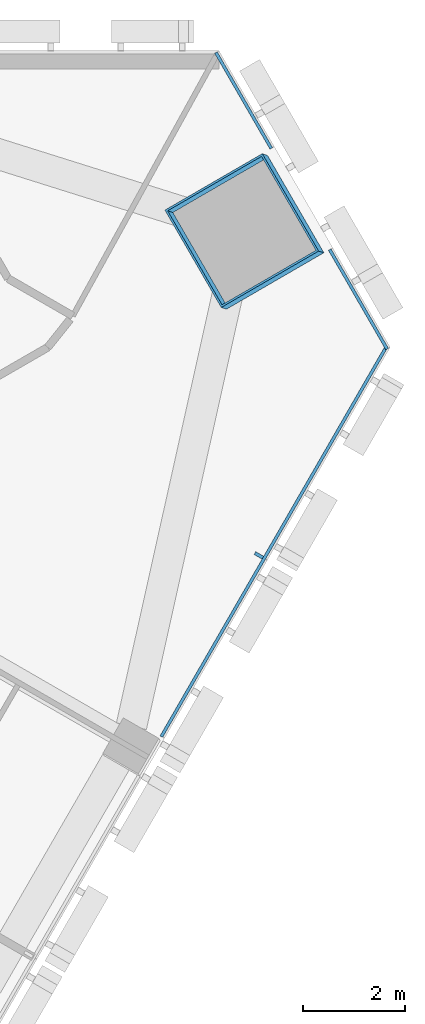
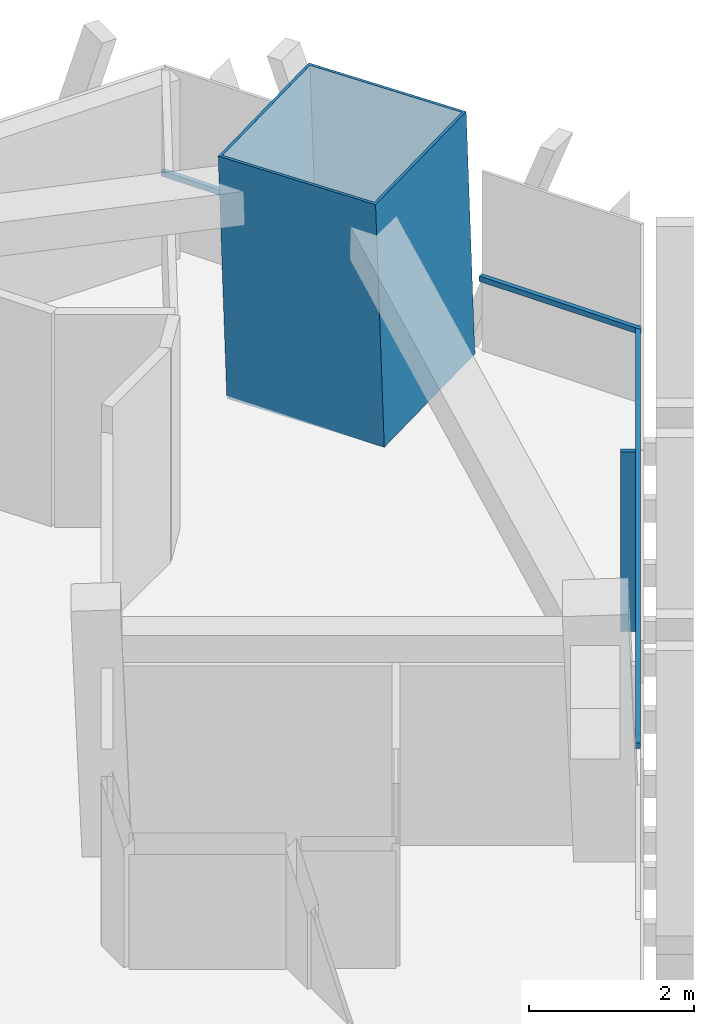
# One storey, part 7 of 16: 5 members, 2 elements without a shape of their own.
"""IFC4 building model written with IfcOpenShell, lengths in metres."""

from ifc_helpers import new_model, si_unit, direction, frame, origin, origin_2d, place, context, subcontext, project, spatial, rectangle, hollow_rectangle, extrude, material, layer, layer_set, material_profile, profile_set, type_object, element, aggregate, save


model = new_model("IFC4")

# Units and contexts
model_context = context("Model", 3, precision=1e-05, world=origin(), true_north=direction((0.0, 1.0)))
body_context = subcontext(model_context, "Body", "Model", "MODEL_VIEW")
ifc_project = project(units=[si_unit("LENGTHUNIT", "METRE"), si_unit("AREAUNIT", "SQUARE_METRE"), si_unit("VOLUMEUNIT", "CUBIC_METRE"), si_unit("PLANEANGLEUNIT", "RADIAN"), si_unit("MASSUNIT", "GRAM", prefix="KILO")], contexts=[model_context])

# Site, building, storey
site_placement = place(None, origin())
site = spatial("IfcSite", under=ifc_project, at=site_placement, CompositionType="ELEMENT")
building_placement = place(site_placement, origin())
building = spatial("IfcBuilding", under=site, at=building_placement, Name="Altiplano Prism Tower", CompositionType="ELEMENT")
storey_placement = place(building_placement, frame((0.0, 0.0, 181.800048828125)))
storey = spatial("IfcBuildingStorey", under=building, at=storey_placement, Name="L47", CompositionType="ELEMENT", Elevation=181.800048828125)

# Curtain wall, members
ifc_material_1 = material(Name="Aluminium and glass", Category="aluminium")
ifc_layer = layer(ifc_material_1, 0.280029296875)
ifc_layer_set = layer_set([ifc_layer], Name="Aluminium and glass")
curtain_wall_type = type_object("IfcCurtainWallType", Name="CW1 typical co-living unitised curtain wall", PredefinedType="NOTDEFINED", material=ifc_layer_set)
curtain_wall_1_placement = place(storey_placement, origin())
curtain_wall_1 = element("IfcCurtainWall", 1, at=curtain_wall_1_placement, inside=storey, type_object=curtain_wall_type, Name="CW1 curtain wall south-east face L47", PredefinedType="NOTDEFINED")
ifc_material_2 = material(Name="Aluminium", Category="aluminium")
ifc_material_profile_1 = material_profile(ifc_material_2, rectangle(XDim=0.179931640625, YDim=0.06494140625, at=origin_2d()), Name="CW1 mullion 65 x 180")
ifc_profile_set_1 = profile_set([ifc_material_profile_1], Name="Aluminium")
member_type_1 = type_object("IfcMemberType", Name="CW1 mullion 65 x 180", PredefinedType="MULLION", material=ifc_profile_set_1)
member_1_placement = place(storey_placement, frame((108.58251953125, 95.140869140625, 0.0), z_axis=(0.0, 0.0, 1.0), x_axis=(-0.866025409055, 0.499999990871, 0.0)))
member_1 = element("IfcMember", 2, at=member_1_placement, type_object=member_type_1, Name="CW1 mullion", PredefinedType="MULLION", context=body_context, shape_type="SweptSolid", body=[
    extrude(rectangle(XDim=0.179931640625, YDim=0.06494140625, at=origin_2d()), origin(), (0.0, 0.0, 1.0), 2.64990234375),
])
ifc_material_profile_2 = material_profile(ifc_material_2, rectangle(XDim=0.06005859375, YDim=0.080078125, at=origin_2d()), Name="CW1 transom 80 x 60")
ifc_profile_set_2 = profile_set([ifc_material_profile_2], Name="Aluminium")
member_type_2 = type_object("IfcMemberType", Name="CW1 transom 80 x 60", PredefinedType="USERDEFINED", material=ifc_profile_set_2)
member_2_placement = place(storey_placement, frame((106.676025390625, 91.59912109375, 1.099853515625), z_axis=(0.500007454112, 0.866021100108, 0.0), x_axis=(-0.866021100108, 0.500007454112, 0.0)))
member_2 = element("IfcMember", 3, at=member_2_placement, type_object=member_type_2, Name="CW1 transom", ObjectType="TRANSOM", PredefinedType="USERDEFINED", context=body_context, shape_type="SweptSolid", body=[
    extrude(rectangle(XDim=0.06005859375, YDim=0.080078125, at=origin_2d()), origin(), (0.0, 0.0, 1.0), 8.823974609375),
])
aggregate(curtain_wall_1, [member_1, member_2])

curtain_wall_2_placement = place(storey_placement, origin())
curtain_wall_2 = element("IfcCurtainWall", 4, at=curtain_wall_2_placement, inside=storey, type_object=curtain_wall_type, Name="CW1 curtain wall north-east chamfer L47", PredefinedType="NOTDEFINED")
member_3_placement = place(storey_placement, frame((111.088134765625, 99.171142578125, 1.099853515625), z_axis=(-0.499998569178, 0.866026229868, 0.0), x_axis=(-0.866026229868, -0.499998569178, 0.0)))
member_3 = element("IfcMember", 5, at=member_3_placement, type_object=member_type_2, Name="CW1 transom", ObjectType="TRANSOM", PredefinedType="USERDEFINED", context=body_context, shape_type="SweptSolid", body=[
    extrude(rectangle(XDim=0.06005859375, YDim=0.080078125, at=origin_2d()), origin(), (0.0, 0.0, 1.0), 2.2451171875),
])
member_4_placement = place(storey_placement, frame((108.82568359375, 103.08984375, 1.099853515625), z_axis=(-0.49994694163, 0.866056034881, 0.0), x_axis=(-0.866056034881, -0.49994694163, 0.0)))
member_4 = element("IfcMember", 6, at=member_4_placement, type_object=member_type_2, Name="CW1 transom", ObjectType="TRANSOM", PredefinedType="USERDEFINED", context=body_context, shape_type="SweptSolid", body=[
    extrude(rectangle(XDim=0.06005859375, YDim=0.080078125, at=origin_2d()), origin(), (0.0, 0.0, 1.0), 2.165283203125),
])
aggregate(curtain_wall_2, [member_3, member_4])

# Member
ifc_material_3 = material(Name="Steel S460", Category="steel")
ifc_material_profile_3 = material_profile(ifc_material_3, hollow_rectangle(XDim=2.199951171875, YDim=2.199951171875, WallThickness=0.0400390625, at=origin_2d()), Name="Mega column tube 2200")
ifc_profile_set_3 = profile_set([ifc_material_profile_3], Name="Steel S460")
member_type_3 = type_object("IfcMemberType", Name="Mega column tube 2200", PredefinedType="POST", material=ifc_profile_set_3)
member_5_placement = place(storey_placement, frame((108.350341796875, 101.453125, 0.0), z_axis=(-0.028403739082, 0.009219352065, 0.999554016126), x_axis=(0.500767468669, -0.865296834365, 0.022211050447)))
element("IfcMember", 7, at=member_5_placement, inside=storey, type_object=member_type_3, Name="Mega column tube M2 L47", PredefinedType="POST", context=body_context, shape_type="SweptSolid", body=[
    extrude(hollow_rectangle(XDim=2.199951171875, YDim=2.199951171875, WallThickness=0.0400390625, at=origin_2d()), origin(), (0.0, 0.0, 1.0), 3.6015625),
])

save(model, "model.ifc")
